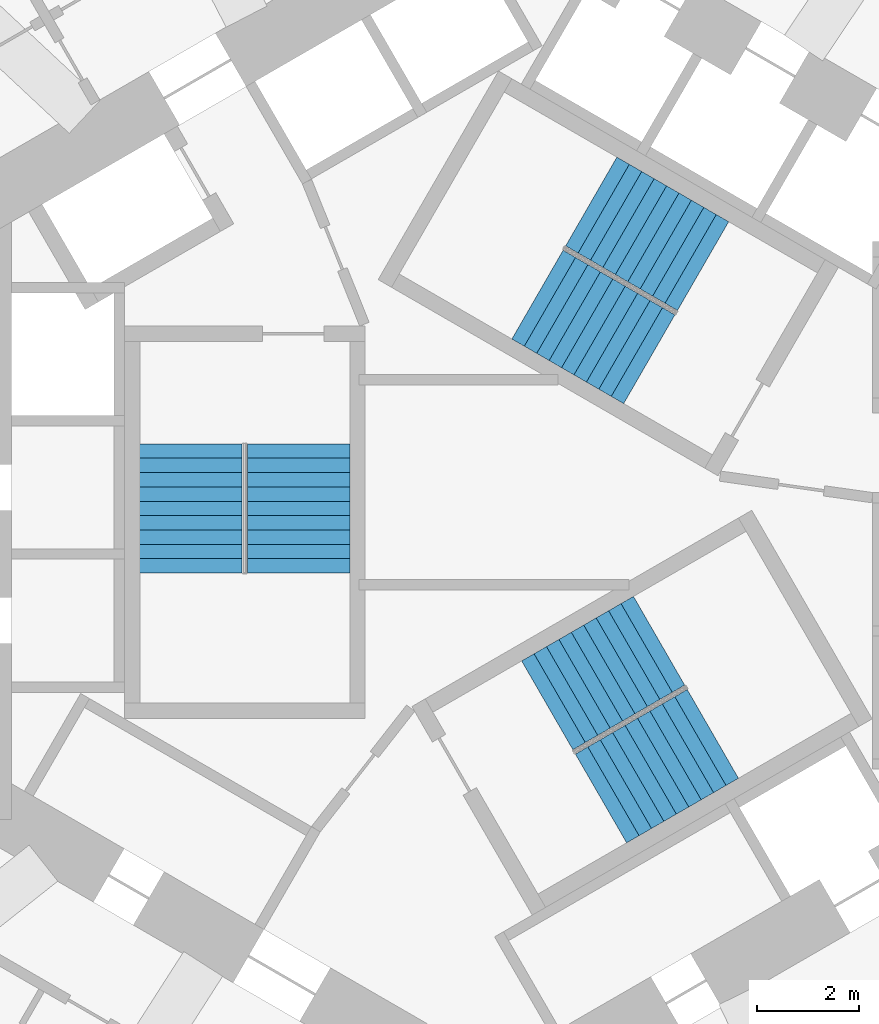
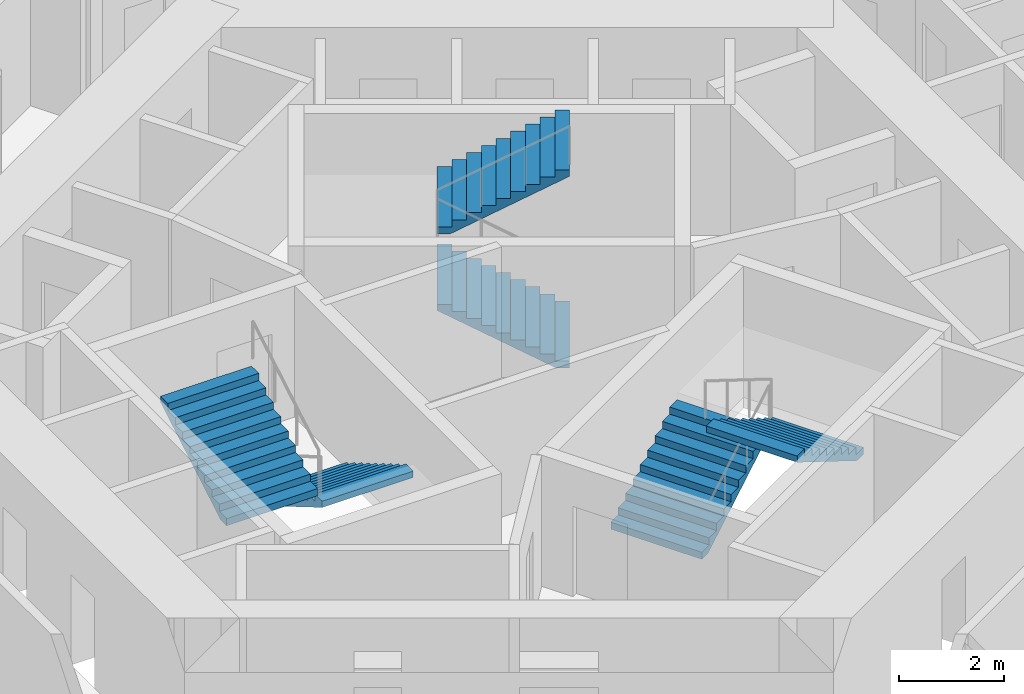
# One storey, part 10 of 12: 6 stair flights, 3 elements without a shape of their own.
"""IFC4 building model written with IfcOpenShell, lengths in metres."""

import ifcopenshell
import ifcopenshell.guid

model = None  # the IFC model being written
_history = None  # IfcOwnerHistory: only IFC2X3 demands one
_inside = {}  # id of a spatial element -> (the spatial element, [elements in it])
_under = {}  # id of a project, library or spatial element -> (it, [spatial elements below it])
_declared = {}  # id of a project -> (the project, [libraries it declares])
_typed = {}  # id of a type object -> (the type object, [elements of that type])
_made_of = {}  # id of a material, layer set ... -> (it, [elements and type objects made of it])


def new_model(schema):
    """Start an empty IFC model of exactly this schema.

    Asked for "IFC4X3", IfcOpenShell would pick the latest addendum, in which some entities
    have other attributes; the version numbers below select the first issue.
    IFC2X3 requires an IfcOwnerHistory on every rooted entity: one is made here for all.
    """
    global model, _history
    if schema == "IFC4X3":
        model = ifcopenshell.file(schema_version=(4, 3, 0, 0))
    else:
        model = ifcopenshell.file(schema=schema)
    _inside.clear()
    _under.clear()
    _declared.clear()
    _typed.clear()
    _made_of.clear()
    _history = None
    if model.schema == "IFC2X3":
        org = make("IfcOrganization", Name="unknown")
        user = make(
            "IfcPersonAndOrganization",
            ThePerson=make("IfcPerson", FamilyName="unknown"),
            TheOrganization=org,
        )
        app = make(
            "IfcApplication",
            ApplicationDeveloper=org,
            Version="unknown",
            ApplicationFullName="unknown",
            ApplicationIdentifier="unknown",
        )
        _history = make(
            "IfcOwnerHistory",
            OwningUser=user,
            OwningApplication=app,
            ChangeAction="ADDED",
            CreationDate=0,
        )
    return model


def make(cls, **values):
    """One entity of the class cls with the attributes given. An attribute that is None is left unset."""
    return model.create_entity(
        cls, **{name: value for name, value in values.items() if value is not None}
    )


def rooted(cls, **values):
    """An entity with a GlobalId (a new one), such as an element, a storey or a relation."""
    return make(cls, GlobalId=ifcopenshell.guid.new(), OwnerHistory=_history, **values)


def si_unit(unit_type, name, prefix=None):
    """IfcSIUnit, for example si_unit("LENGTHUNIT", "METRE", prefix="MILLI")."""
    return make("IfcSIUnit", UnitType=unit_type, Prefix=prefix, Name=name)


def assignment(units):
    """IfcUnitAssignment: the units of a project."""
    return None if units is None else make("IfcUnitAssignment", Units=units)


def point(xyz):
    """IfcCartesianPoint."""
    return None if xyz is None else make("IfcCartesianPoint", Coordinates=xyz)


def direction(xyz):
    """IfcDirection."""
    return None if xyz is None else make("IfcDirection", DirectionRatios=xyz)


def frame(location, z_axis=None, x_axis=None):
    """IfcAxis2Placement3D, a coordinate frame: its origin and axes. An axis left out is left unset."""
    return make(
        "IfcAxis2Placement3D",
        Location=point(location),
        Axis=direction(z_axis),
        RefDirection=direction(x_axis),
    )


def origin():
    """The frame at (0, 0, 0) with its axes left unset."""
    return frame((0.0, 0.0, 0.0))


def place(relative_to, where):
    """IfcLocalPlacement: puts the frame where relative to a parent placement (None: the world)."""
    return make(
        "IfcLocalPlacement", PlacementRelTo=relative_to, RelativePlacement=where
    )


def context(
    kind, dimensions, precision=None, world=None, true_north=None, identifier=None
):
    """IfcGeometricRepresentationContext, for example the 3D "Model" context."""
    return make(
        "IfcGeometricRepresentationContext",
        ContextIdentifier=identifier,
        ContextType=kind,
        CoordinateSpaceDimension=dimensions,
        Precision=precision,
        WorldCoordinateSystem=world,
        TrueNorth=true_north,
    )


def subcontext(parent, identifier, kind, view, scale=None):
    """IfcGeometricRepresentationSubContext, for example "Body" below "Model"."""
    return make(
        "IfcGeometricRepresentationSubContext",
        ContextIdentifier=identifier,
        ContextType=kind,
        ParentContext=parent,
        TargetScale=scale,
        TargetView=view,
    )


def project(units=None, contexts=None):
    """IfcProject with its units and contexts."""
    return rooted(
        "IfcProject",
        Name="project",
        RepresentationContexts=contexts,
        UnitsInContext=assignment(units),
    )


def spatial(cls, under=None, at=None, **own):
    """A site, building, storey or space (cls), placed at a placement, below another one or the project."""
    s = rooted(cls, ObjectPlacement=at, **own)
    if under is not None:
        _under.setdefault(under.id(), (under, []))[1].append(s)
    return s


def point_list(points):
    """IfcCartesianPointList2D or 3D."""
    cls = (
        "IfcCartesianPointList2D" if len(points[0]) == 2 else "IfcCartesianPointList3D"
    )
    return make(cls, CoordList=points)


def triangles(points, corners, closed=None, point_numbers=None):
    """IfcTriangulatedFaceSet: each triangle names its three corners, points numbered from 1."""
    return make(
        "IfcTriangulatedFaceSet",
        Coordinates=point_list(points),
        Closed=closed,
        CoordIndex=corners,
        PnIndex=point_numbers,
    )


def shape(context_of_items, identifier, shape_type, items):
    """IfcShapeRepresentation: the items that make up one representation, for example the "Body"."""
    return make(
        "IfcShapeRepresentation",
        ContextOfItems=context_of_items,
        RepresentationIdentifier=identifier,
        RepresentationType=shape_type,
        Items=items,
    )


def source(mapping_origin, context_of_items, identifier, shape_type, items):
    """IfcRepresentationMap: a shape defined once, which mapped items show again and again."""
    return make(
        "IfcRepresentationMap",
        MappingOrigin=mapping_origin,
        MappedRepresentation=shape(context_of_items, identifier, shape_type, items),
    )


def transform(
    local_origin,
    x_axis=None,
    y_axis=None,
    z_axis=None,
    scale=None,
    scale2=None,
    scale3=None,
    uniform=True,
):
    """IfcCartesianTransformationOperator3D, or its non-uniform kind. x_axis, y_axis, z_axis: its Axis1, 2, 3."""
    if uniform:
        return make(
            "IfcCartesianTransformationOperator3D",
            Axis1=direction(x_axis),
            Axis2=direction(y_axis),
            LocalOrigin=point(local_origin),
            Scale=scale,
            Axis3=direction(z_axis),
        )
    return make(
        "IfcCartesianTransformationOperator3DnonUniform",
        Axis1=direction(x_axis),
        Axis2=direction(y_axis),
        LocalOrigin=point(local_origin),
        Scale=scale,
        Axis3=direction(z_axis),
        Scale2=scale2,
        Scale3=scale3,
    )


def mapped(mapping_source, mapping_target):
    """IfcMappedItem: shows the shape of a source again, moved by a transform."""
    return make(
        "IfcMappedItem", MappingSource=mapping_source, MappingTarget=mapping_target
    )


def material(Name=None, Category=None):
    """IfcMaterial."""
    return make("IfcMaterial", Name=Name, Category=Category)


def made_of(thing, what):
    """Note that an element or type object is made of a material, layer set ...; save() writes the relation."""
    if what is not None:
        _made_of.setdefault(what.id(), (what, []))[1].append(thing)
    return thing


def type_object(cls, material=None, **own):
    """A type object (cls), such as IfcWallType, which elements share."""
    return made_of(rooted(cls, **own), material)


def element(
    cls,
    number,
    at=None,
    inside=None,
    cuts=None,
    type_object=None,
    material=None,
    context=None,
    identifier="Body",
    shape_type=None,
    held_by="IfcProductDefinitionShape",
    body=None,
    shapes=None,
    **own,
):
    """One element of the class cls, such as IfcWall. Its Tag is "e" and its number.

    at: its placement. inside: the storey or other place that contains it. cuts: it is an
    opening in that element (IfcRelVoidsElement). A single representation is given by context,
    identifier, shape_type and body (its items); several are given by shapes. held_by: the class
    of the entity that holds the representations. save() writes the other relations.
    """
    e = rooted(cls, Tag="e%d" % number, ObjectPlacement=at, **own)
    if body is not None:
        shapes = [shape(context, identifier, shape_type, body)]
    if shapes is not None:
        e.Representation = make(held_by, Representations=shapes)
    if inside is not None:
        _inside.setdefault(inside.id(), (inside, []))[1].append(e)
    if cuts is not None:
        rooted(
            "IfcRelVoidsElement", RelatingBuildingElement=cuts, RelatedOpeningElement=e
        )
    if type_object is not None:
        _typed.setdefault(type_object.id(), (type_object, []))[1].append(e)
    return made_of(e, material)


def aggregate(whole, parts):
    """IfcRelAggregates: a whole, such as a stair, and the parts it consists of."""
    return rooted("IfcRelAggregates", RelatingObject=whole, RelatedObjects=parts)


def save(model, path):
    """Write the relations noted so far, then the file.

    IfcRelAggregates (storeys below a building ...), IfcRelContainedInSpatialStructure (elements
    in a storey), IfcRelDefinesByType, IfcRelAssociatesMaterial and IfcRelDeclares: one each for
    every whole, place, type object, material and project.
    """
    for whole, parts in _under.values():
        aggregate(whole, parts)
    for where, things in _inside.values():
        rooted(
            "IfcRelContainedInSpatialStructure",
            RelatedElements=things,
            RelatingStructure=where,
        )
    for kind, things in _typed.values():
        rooted("IfcRelDefinesByType", RelatedObjects=things, RelatingType=kind)
    for what, things in _made_of.values():
        rooted("IfcRelAssociatesMaterial", RelatedObjects=things, RelatingMaterial=what)
    for by, libraries in _declared.values():
        rooted("IfcRelDeclares", RelatingContext=by, RelatedDefinitions=libraries)
    model.write(path)


model = new_model("IFC4")

# Units and contexts
model_context = context("Model", 3, precision=1e-05, world=origin(), true_north=direction((0.0, 1.0)))
body_context = subcontext(model_context, "Body", "Model", "MODEL_VIEW")
ifc_project = project(units=[si_unit("LENGTHUNIT", "METRE"), si_unit("AREAUNIT", "SQUARE_METRE"), si_unit("VOLUMEUNIT", "CUBIC_METRE"), si_unit("PLANEANGLEUNIT", "RADIAN"), si_unit("MASSUNIT", "GRAM", prefix="KILO")], contexts=[model_context])

# Site, building, storey
site_placement = place(None, origin())
site = spatial("IfcSite", under=ifc_project, at=site_placement, CompositionType="ELEMENT")
building_placement = place(site_placement, origin())
building = spatial("IfcBuilding", under=site, at=building_placement, Name="Vanh Sen Convention Tower", CompositionType="ELEMENT")
storey_placement = place(building_placement, frame((0.0, 0.0, 83.60009765625)))
storey = spatial("IfcBuildingStorey", under=building, at=storey_placement, Name="L18", CompositionType="ELEMENT", Elevation=83.60009765625)

# Stair, stair flights
ifc_material_1 = material(Name="Concrete C50/60", Category="concrete")
stair_type_1 = type_object("IfcStairType", Name="Exit stair ST1 20 risers at 165.0", PredefinedType="HALF_TURN_STAIR", material=ifc_material_1)
stair_1_placement = place(storey_placement, origin())
stair_1 = element("IfcStair", 1, at=stair_1_placement, inside=storey, type_object=stair_type_1, Name="Exit stair ST1 L18", PredefinedType="HALF_TURN_STAIR")
ifc_material_2 = material(Name="Concrete C40/50", Category="concrete")
stair_flight_type = type_object("IfcStairFlightType", Name="Stair flight 2000", PredefinedType="STRAIGHT", material=ifc_material_2)
shared_shape = source(origin(), body_context, "Body", "Tessellation", [
    triangles([(0.24609375, 1.0, 0.0), (0.0, 1.0, 0.0), (0.0, 1.0, 0.1650390625), (0.280029296875, 1.0, 0.1650390625), (0.280029296875, 1.0, 0.330078125), (0.56005859375, 1.0, 0.330078125), (0.56005859375, 1.0, 0.4951171875), (0.840087890625, 1.0, 0.4951171875), (0.840087890625, 1.0, 0.659912109375), (1.1201171875, 1.0, 0.659912109375), (1.1201171875, 1.0, 0.824951171875), (1.39990234375, 1.0, 0.824951171875), (1.39990234375, 1.0, 0.989990234375), (1.679931640625, 1.0, 0.989990234375), (1.679931640625, 1.0, 1.155029296875), (1.9599609375, 1.0, 1.155029296875), (1.9599609375, 1.0, 1.320068359375), (2.239990234375, 1.0, 1.320068359375), (2.239990234375, 1.0, 1.485107421875), (2.52001953125, 1.0, 1.485107421875), (2.52001953125, 1.0, 1.33984375), (0.24609375, -1.0, 0.0), (0.0, -1.0, 0.0), (0.0, -1.0, 0.1650390625), (0.280029296875, -1.0, 0.1650390625), (0.280029296875, -1.0, 0.330078125), (0.56005859375, -1.0, 0.330078125), (0.56005859375, -1.0, 0.4951171875), (0.840087890625, -1.0, 0.4951171875), (0.840087890625, -1.0, 0.659912109375), (1.1201171875, -1.0, 0.659912109375), (1.1201171875, -1.0, 0.824951171875), (1.39990234375, -1.0, 0.824951171875), (1.39990234375, -1.0, 0.989990234375), (1.679931640625, -1.0, 0.989990234375), (1.679931640625, -1.0, 1.155029296875), (1.9599609375, -1.0, 1.155029296875), (1.9599609375, -1.0, 1.320068359375), (2.239990234375, -1.0, 1.320068359375), (2.239990234375, -1.0, 1.485107421875), (2.52001953125, -1.0, 1.485107421875), (2.52001953125, -1.0, 1.33984375), (0.0, 0.0400390625, 0.0), (0.0, 0.0390625, 0.0), (0.0, 0.0380859375, 0.0), (0.0, 0.037109375, 0.0), (0.0, 0.035888671875, 0.0), (0.0, 0.034912109375, 0.0), (0.0, 0.033935546875, 0.0), (0.0, 0.032958984375, 0.0), (0.0, 0.031982421875, 0.0), (0.0, 0.031005859375, 0.0), (0.0, 0.030029296875, 0.0), (0.0, 0.029052734375, 0.0), (0.0, 0.028076171875, 0.0), (0.0, 0.027099609375, 0.0), (0.0, 0.02587890625, 0.0), (0.0, 0.02490234375, 0.0), (0.0, 0.02392578125, 0.0), (0.0, 0.02294921875, 0.0), (0.0, 0.02197265625, 0.0), (0.0, 0.02099609375, 0.0), (0.0, 0.02001953125, 0.0), (0.0, 0.01904296875, 0.0), (0.0, 0.01806640625, 0.0), (0.0, 0.01708984375, 0.0), (0.0, 0.01611328125, 0.0), (0.0, 0.014892578125, 0.0), (0.0, 0.013916015625, 0.0), (0.0, 0.012939453125, 0.0), (0.0, 0.011962890625, 0.0), (0.0, 0.010986328125, 0.0), (0.0, 0.010009765625, 0.0), (0.0, 0.009033203125, 0.0), (0.0, 0.008056640625, 0.0), (0.0, 0.007080078125, 0.0), (0.0, 0.006103515625, 0.0), (0.0, 0.0048828125, 0.0), (0.0, 0.00390625, 0.0), (0.0, 0.0029296875, 0.0), (0.0, 0.001953125, 0.0), (0.0, 0.0009765625, 0.0), (0.0, 0.0, 0.0), (0.0, -0.0009765625, 0.0), (0.0, -0.001953125, 0.0), (0.0, -0.0029296875, 0.0), (0.0, -0.00390625, 0.0), (0.0, -0.0048828125, 0.0), (0.0, -0.006103515625, 0.0), (0.0, -0.007080078125, 0.0), (0.0, -0.008056640625, 0.0), (0.0, -0.009033203125, 0.0), (0.0, -0.010009765625, 0.0), (0.0, -0.010986328125, 0.0), (0.0, -0.011962890625, 0.0), (0.0, -0.012939453125, 0.0), (0.0, -0.013916015625, 0.0), (0.0, -0.014892578125, 0.0), (0.0, -0.01611328125, 0.0), (0.0, -0.01708984375, 0.0), (0.0, -0.01806640625, 0.0), (0.0, -0.01904296875, 0.0), (0.0, -0.02001953125, 0.0), (0.0, -0.02099609375, 0.0), (0.0, -0.02197265625, 0.0), (0.0, -0.02294921875, 0.0), (0.0, -0.02392578125, 0.0), (0.0, -0.02490234375, 0.0), (0.0, -0.02587890625, 0.0), (0.0, -0.027099609375, 0.0), (0.0, -0.028076171875, 0.0), (0.0, -0.029052734375, 0.0), (0.0, -0.030029296875, 0.0), (0.0, -0.031005859375, 0.0), (0.0, -0.031982421875, 0.0), (0.0, -0.032958984375, 0.0), (0.0, -0.033935546875, 0.0), (0.0, -0.034912109375, 0.0), (0.0, -0.035888671875, 0.0), (0.0, -0.037109375, 0.0), (0.0, -0.0380859375, 0.0), (0.0, -0.0390625, 0.0), (0.0, -0.0400390625, 0.0), (0.0, 0.0400390625, 0.1650390625), (0.0, 0.0390625, 0.1650390625), (0.0, 0.0380859375, 0.1650390625), (0.0, 0.037109375, 0.1650390625), (0.0, 0.035888671875, 0.1650390625), (0.0, 0.034912109375, 0.1650390625), (0.0, 0.033935546875, 0.1650390625), (0.0, 0.032958984375, 0.1650390625), (0.0, 0.031982421875, 0.1650390625), (0.0, 0.031005859375, 0.1650390625), (0.0, 0.030029296875, 0.1650390625), (0.0, 0.029052734375, 0.1650390625), (0.0, 0.028076171875, 0.1650390625), (0.0, 0.027099609375, 0.1650390625), (0.0, 0.02587890625, 0.1650390625), (0.0, 0.02490234375, 0.1650390625), (0.0, 0.02392578125, 0.1650390625), (0.0, 0.02294921875, 0.1650390625), (0.0, 0.02197265625, 0.1650390625), (0.0, 0.02099609375, 0.1650390625), (0.0, 0.02001953125, 0.1650390625), (0.0, 0.01904296875, 0.1650390625), (0.0, 0.01806640625, 0.1650390625), (0.0, 0.01708984375, 0.1650390625), (0.0, 0.01611328125, 0.1650390625), (0.0, 0.014892578125, 0.1650390625), (0.0, 0.013916015625, 0.1650390625), (0.0, 0.012939453125, 0.1650390625), (0.0, 0.011962890625, 0.1650390625), (0.0, 0.010986328125, 0.1650390625), (0.0, 0.010009765625, 0.1650390625), (0.0, 0.009033203125, 0.1650390625), (0.0, 0.008056640625, 0.1650390625), (0.0, 0.007080078125, 0.1650390625), (0.0, 0.006103515625, 0.1650390625), (0.0, 0.0048828125, 0.1650390625), (0.0, 0.00390625, 0.1650390625), (0.0, 0.0029296875, 0.1650390625), (0.0, 0.001953125, 0.1650390625), (0.0, 0.0009765625, 0.1650390625), (0.0, 0.0, 0.1650390625), (0.0, -0.0009765625, 0.1650390625), (0.0, -0.001953125, 0.1650390625), (0.0, -0.0029296875, 0.1650390625), (0.0, -0.00390625, 0.1650390625), (0.0, -0.0048828125, 0.1650390625), (0.0, -0.006103515625, 0.1650390625), (0.0, -0.007080078125, 0.1650390625), (0.0, -0.008056640625, 0.1650390625), (0.0, -0.009033203125, 0.1650390625), (0.0, -0.010009765625, 0.1650390625), (0.0, -0.010986328125, 0.1650390625), (0.0, -0.011962890625, 0.1650390625), (0.0, -0.012939453125, 0.1650390625), (0.0, -0.013916015625, 0.1650390625), (0.0, -0.014892578125, 0.1650390625), (0.0, -0.01611328125, 0.1650390625), (0.0, -0.01708984375, 0.1650390625), (0.0, -0.01806640625, 0.1650390625), (0.0, -0.01904296875, 0.1650390625), (0.0, -0.02001953125, 0.1650390625), (0.0, -0.02099609375, 0.1650390625), (0.0, -0.02197265625, 0.1650390625), (0.0, -0.02294921875, 0.1650390625), (0.0, -0.02392578125, 0.1650390625), (0.0, -0.02490234375, 0.1650390625), (0.0, -0.02587890625, 0.1650390625), (0.0, -0.027099609375, 0.1650390625), (0.0, -0.028076171875, 0.1650390625), (0.0, -0.029052734375, 0.1650390625), (0.0, -0.030029296875, 0.1650390625), (0.0, -0.031005859375, 0.1650390625), (0.0, -0.031982421875, 0.1650390625), (0.0, -0.032958984375, 0.1650390625), (0.0, -0.033935546875, 0.1650390625), (0.0, -0.034912109375, 0.1650390625), (0.0, -0.035888671875, 0.1650390625), (0.0, -0.037109375, 0.1650390625), (0.0, -0.0380859375, 0.1650390625), (0.0, -0.0390625, 0.1650390625), (0.0, -0.0400390625, 0.1650390625), (0.280029296875, 0.0, 0.1650390625), (0.280029296875, 0.0, 0.330078125), (0.56005859375, 0.0, 0.330078125), (0.56005859375, 0.0, 0.4951171875), (0.840087890625, 0.0, 0.4951171875), (0.840087890625, 0.0, 0.659912109375), (1.1201171875, 0.0, 0.659912109375), (1.1201171875, 0.0, 0.824951171875), (1.39990234375, 0.0, 0.824951171875), (1.39990234375, 0.0, 0.989990234375), (1.679931640625, 0.0, 0.989990234375), (1.679931640625, 0.0, 1.155029296875), (1.9599609375, 0.0, 1.155029296875), (1.9599609375, 0.0, 1.320068359375), (2.239990234375, 0.0, 1.320068359375), (2.239990234375, 0.0, 1.485107421875), (2.52001953125, 0.0400390625, 1.485107421875), (2.52001953125, 0.0390625, 1.485107421875), (2.52001953125, 0.0380859375, 1.485107421875), (2.52001953125, 0.037109375, 1.485107421875), (2.52001953125, 0.035888671875, 1.485107421875), (2.52001953125, 0.034912109375, 1.485107421875), (2.52001953125, 0.033935546875, 1.485107421875), (2.52001953125, 0.032958984375, 1.485107421875), (2.52001953125, 0.031982421875, 1.485107421875), (2.52001953125, 0.031005859375, 1.485107421875), (2.52001953125, 0.030029296875, 1.485107421875), (2.52001953125, 0.029052734375, 1.485107421875), (2.52001953125, 0.028076171875, 1.485107421875), (2.52001953125, 0.027099609375, 1.485107421875), (2.52001953125, 0.02587890625, 1.485107421875), (2.52001953125, 0.02490234375, 1.485107421875), (2.52001953125, 0.02392578125, 1.485107421875), (2.52001953125, 0.02294921875, 1.485107421875), (2.52001953125, 0.02197265625, 1.485107421875), (2.52001953125, 0.02099609375, 1.485107421875), (2.52001953125, 0.02001953125, 1.485107421875), (2.52001953125, 0.01904296875, 1.485107421875), (2.52001953125, 0.01806640625, 1.485107421875), (2.52001953125, 0.01708984375, 1.485107421875), (2.52001953125, 0.01611328125, 1.485107421875), (2.52001953125, 0.014892578125, 1.485107421875), (2.52001953125, 0.013916015625, 1.485107421875), (2.52001953125, 0.012939453125, 1.485107421875), (2.52001953125, 0.011962890625, 1.485107421875), (2.52001953125, 0.010986328125, 1.485107421875), (2.52001953125, 0.010009765625, 1.485107421875), (2.52001953125, 0.009033203125, 1.485107421875), (2.52001953125, 0.008056640625, 1.485107421875), (2.52001953125, 0.007080078125, 1.485107421875), (2.52001953125, 0.006103515625, 1.485107421875), (2.52001953125, 0.0048828125, 1.485107421875), (2.52001953125, 0.00390625, 1.485107421875), (2.52001953125, 0.0029296875, 1.485107421875), (2.52001953125, 0.001953125, 1.485107421875), (2.52001953125, 0.0009765625, 1.485107421875), (2.52001953125, 0.0, 1.485107421875), (2.52001953125, -0.0009765625, 1.485107421875), (2.52001953125, -0.001953125, 1.485107421875), (2.52001953125, -0.0029296875, 1.485107421875), (2.52001953125, -0.00390625, 1.485107421875), (2.52001953125, -0.0048828125, 1.485107421875), (2.52001953125, -0.006103515625, 1.485107421875), (2.52001953125, -0.007080078125, 1.485107421875), (2.52001953125, -0.008056640625, 1.485107421875), (2.52001953125, -0.009033203125, 1.485107421875), (2.52001953125, -0.010009765625, 1.485107421875), (2.52001953125, -0.010986328125, 1.485107421875), (2.52001953125, -0.011962890625, 1.485107421875), (2.52001953125, -0.012939453125, 1.485107421875), (2.52001953125, -0.013916015625, 1.485107421875), (2.52001953125, -0.014892578125, 1.485107421875), (2.52001953125, -0.01611328125, 1.485107421875), (2.52001953125, -0.01708984375, 1.485107421875), (2.52001953125, -0.01806640625, 1.485107421875), (2.52001953125, -0.01904296875, 1.485107421875), (2.52001953125, -0.02001953125, 1.485107421875), (2.52001953125, -0.02099609375, 1.485107421875), (2.52001953125, -0.02197265625, 1.485107421875), (2.52001953125, -0.02294921875, 1.485107421875), (2.52001953125, -0.02392578125, 1.485107421875), (2.52001953125, -0.02490234375, 1.485107421875), (2.52001953125, -0.02587890625, 1.485107421875), (2.52001953125, -0.027099609375, 1.485107421875), (2.52001953125, -0.028076171875, 1.485107421875), (2.52001953125, -0.029052734375, 1.485107421875), (2.52001953125, -0.030029296875, 1.485107421875), (2.52001953125, -0.031005859375, 1.485107421875), (2.52001953125, -0.031982421875, 1.485107421875), (2.52001953125, -0.032958984375, 1.485107421875), (2.52001953125, -0.033935546875, 1.485107421875), (2.52001953125, -0.034912109375, 1.485107421875), (2.52001953125, -0.035888671875, 1.485107421875), (2.52001953125, -0.037109375, 1.485107421875), (2.52001953125, -0.0380859375, 1.485107421875), (2.52001953125, -0.0390625, 1.485107421875), (2.52001953125, -0.0400390625, 1.485107421875), (2.52001953125, 0.0400390625, 1.33984375), (2.52001953125, 0.0390625, 1.33984375), (2.52001953125, 0.0380859375, 1.33984375), (2.52001953125, 0.037109375, 1.33984375), (2.52001953125, 0.035888671875, 1.33984375), (2.52001953125, 0.034912109375, 1.33984375), (2.52001953125, 0.033935546875, 1.33984375), (2.52001953125, 0.032958984375, 1.33984375), (2.52001953125, 0.031982421875, 1.33984375), (2.52001953125, 0.031005859375, 1.33984375), (2.52001953125, 0.030029296875, 1.33984375), (2.52001953125, 0.029052734375, 1.33984375), (2.52001953125, 0.028076171875, 1.33984375), (2.52001953125, 0.027099609375, 1.33984375), (2.52001953125, 0.02587890625, 1.33984375), (2.52001953125, 0.02490234375, 1.33984375), (2.52001953125, 0.02392578125, 1.33984375), (2.52001953125, 0.02294921875, 1.33984375), (2.52001953125, 0.02197265625, 1.33984375), (2.52001953125, 0.02099609375, 1.33984375), (2.52001953125, 0.02001953125, 1.33984375), (2.52001953125, 0.01904296875, 1.33984375), (2.52001953125, 0.01806640625, 1.33984375), (2.52001953125, 0.01708984375, 1.33984375), (2.52001953125, 0.01611328125, 1.33984375), (2.52001953125, 0.014892578125, 1.33984375), (2.52001953125, 0.013916015625, 1.33984375), (2.52001953125, 0.012939453125, 1.33984375), (2.52001953125, 0.011962890625, 1.33984375), (2.52001953125, 0.010986328125, 1.33984375), (2.52001953125, 0.010009765625, 1.33984375), (2.52001953125, 0.009033203125, 1.33984375), (2.52001953125, 0.008056640625, 1.33984375), (2.52001953125, 0.007080078125, 1.33984375), (2.52001953125, 0.006103515625, 1.33984375), (2.52001953125, 0.0048828125, 1.33984375), (2.52001953125, 0.00390625, 1.33984375), (2.52001953125, 0.0029296875, 1.33984375), (2.52001953125, 0.001953125, 1.33984375), (2.52001953125, 0.0009765625, 1.33984375), (2.52001953125, 0.0, 1.33984375), (2.52001953125, -0.0009765625, 1.33984375), (2.52001953125, -0.001953125, 1.33984375), (2.52001953125, -0.0029296875, 1.33984375), (2.52001953125, -0.00390625, 1.33984375), (2.52001953125, -0.0048828125, 1.33984375), (2.52001953125, -0.006103515625, 1.33984375), (2.52001953125, -0.007080078125, 1.33984375), (2.52001953125, -0.008056640625, 1.33984375), (2.52001953125, -0.009033203125, 1.33984375), (2.52001953125, -0.010009765625, 1.33984375), (2.52001953125, -0.010986328125, 1.33984375), (2.52001953125, -0.011962890625, 1.33984375), (2.52001953125, -0.012939453125, 1.33984375), (2.52001953125, -0.013916015625, 1.33984375), (2.52001953125, -0.014892578125, 1.33984375), (2.52001953125, -0.01611328125, 1.33984375), (2.52001953125, -0.01708984375, 1.33984375), (2.52001953125, -0.01806640625, 1.33984375), (2.52001953125, -0.01904296875, 1.33984375), (2.52001953125, -0.02001953125, 1.33984375), (2.52001953125, -0.02099609375, 1.33984375), (2.52001953125, -0.02197265625, 1.33984375), (2.52001953125, -0.02294921875, 1.33984375), (2.52001953125, -0.02392578125, 1.33984375), (2.52001953125, -0.02490234375, 1.33984375), (2.52001953125, -0.02587890625, 1.33984375), (2.52001953125, -0.027099609375, 1.33984375), (2.52001953125, -0.028076171875, 1.33984375), (2.52001953125, -0.029052734375, 1.33984375), (2.52001953125, -0.030029296875, 1.33984375), (2.52001953125, -0.031005859375, 1.33984375), (2.52001953125, -0.031982421875, 1.33984375), (2.52001953125, -0.032958984375, 1.33984375), (2.52001953125, -0.033935546875, 1.33984375), (2.52001953125, -0.034912109375, 1.33984375), (2.52001953125, -0.035888671875, 1.33984375), (2.52001953125, -0.037109375, 1.33984375), (2.52001953125, -0.0380859375, 1.33984375), (2.52001953125, -0.0390625, 1.33984375), (2.52001953125, -0.0400390625, 1.33984375), (0.24609375, 0.0, 0.0)], [[1, 2, 3], [1, 3, 4], [4, 5, 6], [1, 4, 6], [6, 7, 8], [1, 6, 8], [8, 9, 10], [1, 8, 10], [10, 11, 12], [1, 10, 12], [12, 13, 14], [1, 12, 14], [14, 15, 16], [1, 14, 16], [16, 17, 18], [1, 16, 18], [18, 19, 20], [1, 18, 20], [20, 21, 1], [22, 24, 23], [22, 25, 24], [25, 27, 26], [22, 27, 25], [27, 29, 28], [22, 29, 27], [29, 31, 30], [22, 31, 29], [31, 33, 32], [22, 33, 31], [33, 35, 34], [22, 35, 33], [35, 37, 36], [22, 37, 35], [37, 39, 38], [22, 39, 37], [39, 41, 40], [22, 41, 39], [41, 22, 42], [2, 124, 3], [2, 43, 124], [43, 125, 124], [43, 44, 125], [44, 126, 125], [44, 45, 126], [45, 127, 126], [45, 46, 127], [46, 128, 127], [46, 47, 128], [47, 129, 128], [47, 48, 129], [48, 130, 129], [48, 49, 130], [49, 131, 130], [49, 50, 131], [50, 132, 131], [50, 51, 132], [51, 133, 132], [51, 52, 133], [52, 134, 133], [52, 53, 134], [53, 135, 134], [53, 54, 135], [54, 136, 135], [54, 55, 136], [55, 137, 136], [55, 56, 137], [56, 138, 137], [56, 57, 138], [57, 139, 138], [57, 58, 139], [58, 140, 139], [58, 59, 140], [59, 141, 140], [59, 60, 141], [60, 142, 141], [60, 61, 142], [61, 143, 142], [61, 62, 143], [62, 144, 143], [62, 63, 144], [63, 145, 144], [63, 64, 145], [64, 146, 145], [64, 65, 146], [65, 147, 146], [65, 66, 147], [66, 148, 147], [66, 67, 148], [67, 149, 148], [67, 68, 149], [68, 150, 149], [68, 69, 150], [69, 151, 150], [69, 70, 151], [70, 152, 151], [70, 71, 152], [71, 153, 152], [71, 72, 153], [72, 154, 153], [72, 73, 154], [73, 155, 154], [73, 74, 155], [74, 156, 155], [74, 75, 156], [75, 157, 156], [75, 76, 157], [76, 158, 157], [76, 77, 158], [77, 159, 158], [77, 78, 159], [78, 160, 159], [78, 79, 160], [79, 161, 160], [79, 80, 161], [80, 162, 161], [80, 81, 162], [81, 163, 162], [81, 82, 163], [82, 164, 163], [82, 83, 164], [83, 84, 164], [164, 84, 165], [84, 85, 165], [165, 85, 166], [85, 86, 166], [166, 86, 167], [86, 87, 167], [167, 87, 168], [87, 88, 168], [168, 88, 169], [88, 89, 169], [169, 89, 170], [89, 90, 170], [170, 90, 171], [90, 91, 171], [171, 91, 172], [91, 92, 172], [172, 92, 173], [92, 93, 173], [173, 93, 174], [93, 94, 174], [174, 94, 175], [94, 95, 175], [175, 95, 176], [95, 96, 176], [176, 96, 177], [96, 97, 177], [177, 97, 178], [97, 98, 178], [178, 98, 179], [98, 99, 179], [179, 99, 180], [99, 100, 180], [180, 100, 181], [100, 101, 181], [181, 101, 182], [101, 102, 182], [182, 102, 183], [102, 103, 183], [183, 103, 184], [103, 104, 184], [184, 104, 185], [104, 105, 185], [185, 105, 186], [105, 106, 186], [186, 106, 187], [106, 107, 187], [187, 107, 188], [107, 108, 188], [188, 108, 189], [108, 109, 189], [189, 109, 190], [109, 110, 190], [190, 110, 191], [110, 111, 191], [191, 111, 192], [111, 112, 192], [192, 112, 193], [112, 113, 193], [193, 113, 194], [113, 114, 194], [194, 114, 195], [114, 115, 195], [195, 115, 196], [115, 116, 196], [196, 116, 197], [116, 117, 197], [197, 117, 198], [117, 118, 198], [198, 118, 199], [118, 119, 199], [199, 119, 200], [119, 120, 200], [200, 120, 201], [120, 121, 201], [201, 121, 202], [121, 122, 202], [202, 122, 203], [122, 123, 203], [203, 123, 204], [123, 23, 204], [204, 23, 24], [4, 3, 124], [4, 124, 125], [4, 125, 126], [4, 126, 127], [4, 127, 128], [4, 128, 129], [4, 129, 130], [4, 130, 131], [4, 131, 132], [4, 132, 133], [4, 133, 134], [4, 134, 135], [4, 135, 136], [4, 136, 137], [4, 137, 138], [4, 138, 139], [4, 139, 140], [4, 140, 141], [4, 141, 142], [4, 142, 143], [4, 143, 144], [4, 144, 145], [4, 145, 146], [4, 146, 147], [4, 147, 148], [4, 148, 149], [4, 149, 150], [4, 150, 151], [4, 151, 152], [4, 152, 153], [4, 153, 154], [4, 154, 155], [4, 155, 156], [4, 156, 157], [4, 157, 158], [4, 158, 159], [4, 159, 160], [4, 160, 161], [4, 161, 162], [4, 162, 163], [4, 163, 164], [25, 164, 165], [25, 165, 166], [25, 166, 167], [25, 167, 168], [25, 168, 169], [25, 169, 170], [25, 170, 171], [25, 171, 172], [25, 172, 173], [25, 173, 174], [25, 174, 175], [25, 175, 176], [25, 176, 177], [25, 177, 178], [25, 178, 179], [25, 179, 180], [25, 180, 181], [25, 181, 182], [25, 182, 183], [25, 183, 184], [25, 184, 185], [25, 185, 186], [25, 186, 187], [25, 187, 188], [25, 188, 189], [25, 189, 190], [25, 190, 191], [25, 191, 192], [25, 192, 193], [25, 193, 194], [25, 194, 195], [25, 195, 196], [25, 196, 197], [25, 197, 198], [25, 198, 199], [25, 199, 200], [25, 200, 201], [25, 201, 202], [25, 202, 203], [25, 203, 204], [25, 204, 24], [4, 164, 205], [25, 205, 164], [4, 206, 5], [4, 205, 206], [205, 25, 206], [206, 25, 26], [5, 207, 6], [5, 206, 207], [206, 26, 207], [207, 26, 27], [6, 208, 7], [6, 207, 208], [207, 27, 208], [208, 27, 28], [7, 209, 8], [7, 208, 209], [208, 28, 209], [209, 28, 29], [8, 210, 9], [8, 209, 210], [209, 29, 210], [210, 29, 30], [9, 211, 10], [9, 210, 211], [210, 30, 211], [211, 30, 31], [10, 212, 11], [10, 211, 212], [211, 31, 212], [212, 31, 32], [11, 213, 12], [11, 212, 213], [212, 32, 213], [213, 32, 33], [12, 214, 13], [12, 213, 214], [213, 33, 214], [214, 33, 34], [13, 215, 14], [13, 214, 215], [214, 34, 215], [215, 34, 35], [14, 216, 15], [14, 215, 216], [215, 35, 216], [216, 35, 36], [15, 217, 16], [15, 216, 217], [216, 36, 217], [217, 36, 37], [16, 218, 17], [16, 217, 218], [217, 37, 218], [218, 37, 38], [17, 219, 18], [17, 218, 219], [218, 38, 219], [219, 38, 39], [18, 220, 19], [18, 219, 220], [219, 39, 220], [220, 39, 40], [19, 221, 20], [19, 222, 221], [19, 223, 222], [19, 224, 223], [19, 225, 224], [19, 226, 225], [19, 227, 226], [19, 228, 227], [19, 229, 228], [19, 230, 229], [19, 231, 230], [19, 232, 231], [19, 233, 232], [19, 234, 233], [19, 235, 234], [19, 236, 235], [19, 237, 236], [19, 238, 237], [19, 239, 238], [19, 240, 239], [19, 241, 240], [19, 242, 241], [19, 243, 242], [19, 244, 243], [19, 245, 244], [19, 246, 245], [19, 247, 246], [19, 248, 247], [19, 249, 248], [19, 250, 249], [19, 251, 250], [19, 252, 251], [19, 253, 252], [19, 254, 253], [19, 255, 254], [19, 256, 255], [19, 257, 256], [19, 258, 257], [19, 259, 258], [19, 260, 259], [19, 261, 260], [40, 262, 261], [40, 263, 262], [40, 264, 263], [40, 265, 264], [40, 266, 265], [40, 267, 266], [40, 268, 267], [40, 269, 268], [40, 270, 269], [40, 271, 270], [40, 272, 271], [40, 273, 272], [40, 274, 273], [40, 275, 274], [40, 276, 275], [40, 277, 276], [40, 278, 277], [40, 279, 278], [40, 280, 279], [40, 281, 280], [40, 282, 281], [40, 283, 282], [40, 284, 283], [40, 285, 284], [40, 286, 285], [40, 287, 286], [40, 288, 287], [40, 289, 288], [40, 290, 289], [40, 291, 290], [40, 292, 291], [40, 293, 292], [40, 294, 293], [40, 295, 294], [40, 296, 295], [40, 297, 296], [40, 298, 297], [40, 299, 298], [40, 300, 299], [40, 301, 300], [40, 41, 301], [19, 220, 261], [40, 261, 220], [20, 302, 21], [20, 221, 302], [221, 303, 302], [221, 222, 303], [222, 304, 303], [222, 223, 304], [223, 305, 304], [223, 224, 305], [224, 306, 305], [224, 225, 306], [225, 307, 306], [225, 226, 307], [226, 308, 307], [226, 227, 308], [227, 309, 308], [227, 228, 309], [228, 310, 309], [228, 229, 310], [229, 311, 310], [229, 230, 311], [230, 312, 311], [230, 231, 312], [231, 313, 312], [231, 232, 313], [232, 314, 313], [232, 233, 314], [233, 315, 314], [233, 234, 315], [234, 316, 315], [234, 235, 316], [235, 317, 316], [235, 236, 317], [236, 318, 317], [236, 237, 318], [237, 319, 318], [237, 238, 319], [238, 320, 319], [238, 239, 320], [239, 321, 320], [239, 240, 321], [240, 322, 321], [240, 241, 322], [241, 323, 322], [241, 242, 323], [242, 324, 323], [242, 243, 324], [243, 325, 324], [243, 244, 325], [244, 326, 325], [244, 245, 326], [245, 327, 326], [245, 246, 327], [246, 328, 327], [246, 247, 328], [247, 329, 328], [247, 248, 329], [248, 330, 329], [248, 249, 330], [249, 331, 330], [249, 250, 331], [250, 332, 331], [250, 251, 332], [251, 333, 332], [251, 252, 333], [252, 334, 333], [252, 253, 334], [253, 335, 334], [253, 254, 335], [254, 336, 335], [254, 255, 336], [255, 337, 336], [255, 256, 337], [256, 338, 337], [256, 257, 338], [257, 339, 338], [257, 258, 339], [258, 340, 339], [258, 259, 340], [259, 341, 340], [259, 260, 341], [260, 342, 341], [260, 261, 342], [261, 262, 342], [342, 262, 343], [262, 263, 343], [343, 263, 344], [263, 264, 344], [344, 264, 345], [264, 265, 345], [345, 265, 346], [265, 266, 346], [346, 266, 347], [266, 267, 347], [347, 267, 348], [267, 268, 348], [348, 268, 349], [268, 269, 349], [349, 269, 350], [269, 270, 350], [350, 270, 351], [270, 271, 351], [351, 271, 352], [271, 272, 352], [352, 272, 353], [272, 273, 353], [353, 273, 354], [273, 274, 354], [354, 274, 355], [274, 275, 355], [355, 275, 356], [275, 276, 356], [356, 276, 357], [276, 277, 357], [357, 277, 358], [277, 278, 358], [358, 278, 359], [278, 279, 359], [359, 279, 360], [279, 280, 360], [360, 280, 361], [280, 281, 361], [361, 281, 362], [281, 282, 362], [362, 282, 363], [282, 283, 363], [363, 283, 364], [283, 284, 364], [364, 284, 365], [284, 285, 365], [365, 285, 366], [285, 286, 366], [366, 286, 367], [286, 287, 367], [367, 287, 368], [287, 288, 368], [368, 288, 369], [288, 289, 369], [369, 289, 370], [289, 290, 370], [370, 290, 371], [290, 291, 371], [371, 291, 372], [291, 292, 372], [372, 292, 373], [292, 293, 373], [373, 293, 374], [293, 294, 374], [374, 294, 375], [294, 295, 375], [375, 295, 376], [295, 296, 376], [376, 296, 377], [296, 297, 377], [377, 297, 378], [297, 298, 378], [378, 298, 379], [298, 299, 379], [379, 299, 380], [299, 300, 380], [380, 300, 381], [300, 301, 381], [381, 301, 382], [301, 41, 382], [382, 41, 42], [1, 21, 302], [1, 302, 303], [1, 303, 304], [1, 304, 305], [1, 305, 306], [1, 306, 307], [1, 307, 308], [1, 308, 309], [1, 309, 310], [1, 310, 311], [1, 311, 312], [1, 312, 313], [1, 313, 314], [1, 314, 315], [1, 315, 316], [1, 316, 317], [1, 317, 318], [1, 318, 319], [1, 319, 320], [1, 320, 321], [1, 321, 322], [1, 322, 323], [1, 323, 324], [1, 324, 325], [1, 325, 326], [1, 326, 327], [1, 327, 328], [1, 328, 329], [1, 329, 330], [1, 330, 331], [1, 331, 332], [1, 332, 333], [1, 333, 334], [1, 334, 335], [1, 335, 336], [1, 336, 337], [1, 337, 338], [1, 338, 339], [1, 339, 340], [1, 340, 341], [1, 341, 342], [22, 342, 343], [22, 343, 344], [22, 344, 345], [22, 345, 346], [22, 346, 347], [22, 347, 348], [22, 348, 349], [22, 349, 350], [22, 350, 351], [22, 351, 352], [22, 352, 353], [22, 353, 354], [22, 354, 355], [22, 355, 356], [22, 356, 357], [22, 357, 358], [22, 358, 359], [22, 359, 360], [22, 360, 361], [22, 361, 362], [22, 362, 363], [22, 363, 364], [22, 364, 365], [22, 365, 366], [22, 366, 367], [22, 367, 368], [22, 368, 369], [22, 369, 370], [22, 370, 371], [22, 371, 372], [22, 372, 373], [22, 373, 374], [22, 374, 375], [22, 375, 376], [22, 376, 377], [22, 377, 378], [22, 378, 379], [22, 379, 380], [22, 380, 381], [22, 381, 382], [22, 382, 42], [1, 342, 383], [22, 383, 342], [1, 43, 2], [1, 44, 43], [1, 45, 44], [1, 46, 45], [1, 47, 46], [1, 48, 47], [1, 49, 48], [1, 50, 49], [1, 51, 50], [1, 52, 51], [1, 53, 52], [1, 54, 53], [1, 55, 54], [1, 56, 55], [1, 57, 56], [1, 58, 57], [1, 59, 58], [1, 60, 59], [1, 61, 60], [1, 62, 61], [1, 63, 62], [1, 64, 63], [1, 65, 64], [1, 66, 65], [1, 67, 66], [1, 68, 67], [1, 69, 68], [1, 70, 69], [1, 71, 70], [1, 72, 71], [1, 73, 72], [1, 74, 73], [1, 75, 74], [1, 76, 75], [1, 77, 76], [1, 78, 77], [1, 79, 78], [1, 80, 79], [1, 81, 80], [1, 82, 81], [1, 83, 82], [22, 84, 83], [22, 85, 84], [22, 86, 85], [22, 87, 86], [22, 88, 87], [22, 89, 88], [22, 90, 89], [22, 91, 90], [22, 92, 91], [22, 93, 92], [22, 94, 93], [22, 95, 94], [22, 96, 95], [22, 97, 96], [22, 98, 97], [22, 99, 98], [22, 100, 99], [22, 101, 100], [22, 102, 101], [22, 103, 102], [22, 104, 103], [22, 105, 104], [22, 106, 105], [22, 107, 106], [22, 108, 107], [22, 109, 108], [22, 110, 109], [22, 111, 110], [22, 112, 111], [22, 113, 112], [22, 114, 113], [22, 115, 114], [22, 116, 115], [22, 117, 116], [22, 118, 117], [22, 119, 118], [22, 120, 119], [22, 121, 120], [22, 122, 121], [22, 123, 122], [22, 23, 123], [1, 383, 83], [22, 83, 383]], closed=True),
])
stair_flight_1_placement = place(storey_placement, frame((2.94580078125, 2.802490234375, 0.0), z_axis=(0.0, 0.0, 1.0), x_axis=(-0.866025403784, 0.5, 0.0)))
stair_flight_1 = element("IfcStairFlight", 2, at=stair_flight_1_placement, type_object=stair_flight_type, Name="ST1 flight 1", NumberOfRisers=10, NumberOfTreads=9, PredefinedType="STRAIGHT", RiserHeight=0.165, TreadLength=0.28, context=body_context, shape_type="MappedRepresentation", body=[
    mapped(shared_shape, transform((0.0, 0.0, 0.0))),
])
stair_flight_2_placement = place(storey_placement, frame((1.8134765625, 5.881103515625, 1.64990234375), z_axis=(0.0, 0.0, 1.0), x_axis=(0.866025403784, -0.5, 0.0)))
stair_flight_2 = element("IfcStairFlight", 3, at=stair_flight_2_placement, type_object=stair_flight_type, Name="ST1 flight 2", NumberOfRisers=10, NumberOfTreads=9, PredefinedType="STRAIGHT", RiserHeight=0.165, TreadLength=0.28, context=body_context, shape_type="MappedRepresentation", body=[
    mapped(shared_shape, transform((0.0, 0.0, 0.0))),
])
aggregate(stair_1, [stair_flight_1, stair_flight_2])

stair_type_2 = type_object("IfcStairType", Name="Exit stair ST2 20 risers at 165.0", PredefinedType="HALF_TURN_STAIR", material=ifc_material_1)
stair_2_placement = place(storey_placement, origin())
stair_2 = element("IfcStair", 4, at=stair_2_placement, inside=storey, type_object=stair_type_2, Name="Exit stair ST2 L18", PredefinedType="HALF_TURN_STAIR")
stair_flight_3_placement = place(storey_placement, frame((-3.89990234375, 1.14990234375, 0.0), z_axis=(0.0, 0.0, 1.0), x_axis=(0.0, -1.0, 0.0)))
stair_flight_3 = element("IfcStairFlight", 5, at=stair_flight_3_placement, type_object=stair_flight_type, Name="ST2 flight 1", NumberOfRisers=10, NumberOfTreads=9, PredefinedType="STRAIGHT", RiserHeight=0.165, TreadLength=0.28, context=body_context, shape_type="MappedRepresentation", body=[
    mapped(shared_shape, transform((0.0, 0.0, 0.0))),
])
stair_flight_4_placement = place(storey_placement, frame((-6.0, -1.3701171875, 1.64990234375), z_axis=(0.0, 0.0, 1.0), x_axis=(0.0, 1.0, 0.0)))
stair_flight_4 = element("IfcStairFlight", 6, at=stair_flight_4_placement, type_object=stair_flight_type, Name="ST2 flight 2", NumberOfRisers=10, NumberOfTreads=9, PredefinedType="STRAIGHT", RiserHeight=0.165, TreadLength=0.28, context=body_context, shape_type="MappedRepresentation", body=[
    mapped(shared_shape, transform((0.0, 0.0, 0.0))),
])
aggregate(stair_2, [stair_flight_3, stair_flight_4])

stair_type_3 = type_object("IfcStairType", Name="Exit stair ST3 20 risers at 165.0", PredefinedType="HALF_TURN_STAIR", material=ifc_material_1)
stair_3_placement = place(storey_placement, origin())
stair_3 = element("IfcStair", 7, at=stair_3_placement, inside=storey, type_object=stair_type_3, Name="Exit stair ST3 L18", PredefinedType="HALF_TURN_STAIR")
stair_flight_5_placement = place(storey_placement, frame((0.9541015625, -3.952392578125, 0.0), z_axis=(0.0, 0.0, 1.0), x_axis=(0.866025403784, 0.5, 0.0)))
stair_flight_5 = element("IfcStairFlight", 8, at=stair_flight_5_placement, type_object=stair_flight_type, Name="ST3 flight 1", NumberOfRisers=10, NumberOfTreads=9, PredefinedType="STRAIGHT", RiserHeight=0.165, TreadLength=0.28, context=body_context, shape_type="MappedRepresentation", body=[
    mapped(shared_shape, transform((0.0, 0.0, 0.0))),
])
stair_flight_6_placement = place(storey_placement, frame((4.1865234375, -4.51123046875, 1.64990234375), z_axis=(0.0, 0.0, 1.0), x_axis=(-0.866025403784, -0.5, 0.0)))
stair_flight_6 = element("IfcStairFlight", 9, at=stair_flight_6_placement, type_object=stair_flight_type, Name="ST3 flight 2", NumberOfRisers=10, NumberOfTreads=9, PredefinedType="STRAIGHT", RiserHeight=0.165, TreadLength=0.28, context=body_context, shape_type="MappedRepresentation", body=[
    mapped(shared_shape, transform((0.0, 0.0, 0.0))),
])
aggregate(stair_3, [stair_flight_5, stair_flight_6])

save(model, "model.ifc")
